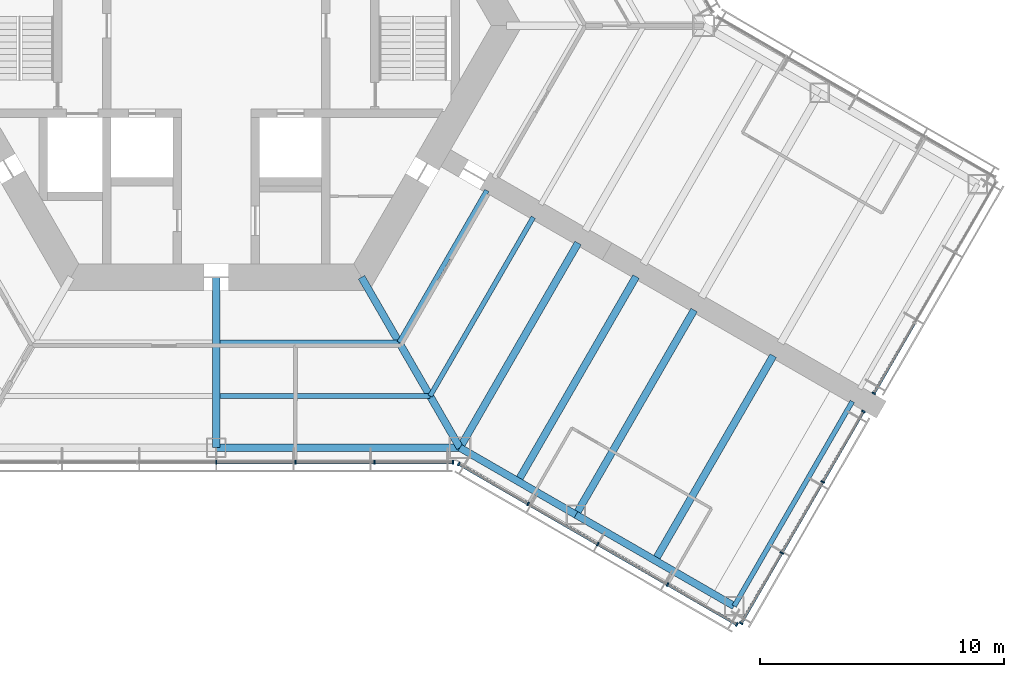
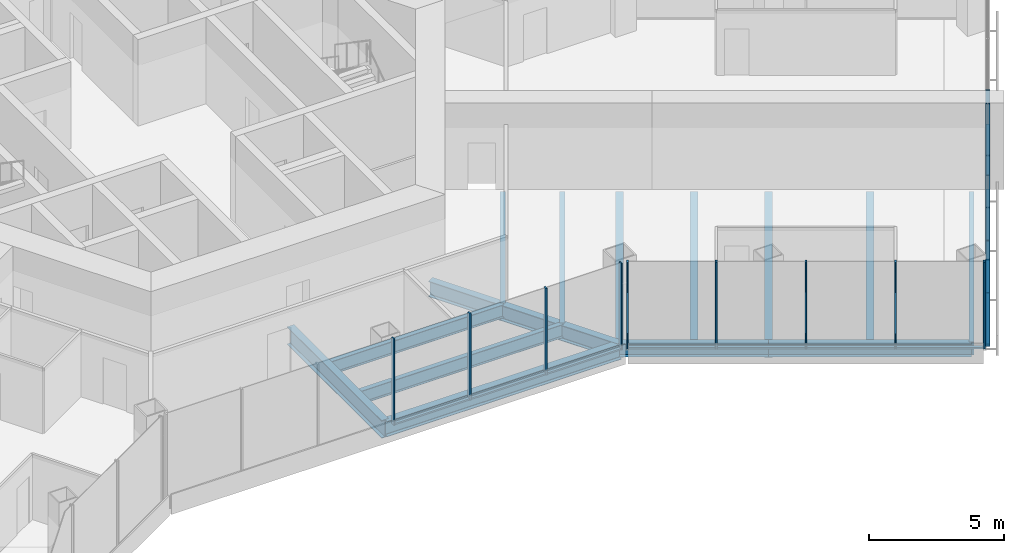
# One storey, part 5 of 18: 25 members, 14 beams, 4 elements without a shape of their own.
"""IFC4 building model written with IfcOpenShell, lengths in metres."""

from ifc_helpers import new_model, si_unit, direction, frame, origin, origin_2d, place, context, subcontext, project, spatial, rectangle, i_section, extrude, material, material_profile, profile_set, type_object, element, aggregate, save


model = new_model("IFC4")

# Units and contexts
model_context = context("Model", 3, precision=1e-05, world=origin(), true_north=direction((0.0, 1.0)))
body_context = subcontext(model_context, "Body", "Model", "MODEL_VIEW")
ifc_project = project(units=[si_unit("LENGTHUNIT", "METRE"), si_unit("AREAUNIT", "SQUARE_METRE"), si_unit("VOLUMEUNIT", "CUBIC_METRE"), si_unit("PLANEANGLEUNIT", "RADIAN"), si_unit("MASSUNIT", "GRAM", prefix="KILO")], contexts=[model_context])

# Site, building, storey
site_placement = place(None, origin())
site = spatial("IfcSite", under=ifc_project, at=site_placement, CompositionType="ELEMENT")
building_placement = place(site_placement, origin())
building = spatial("IfcBuilding", under=site, at=building_placement, Name="Kasaneha Research Tower", CompositionType="ELEMENT")
storey_placement = place(building_placement, frame((0.0, 0.0, 69.0)))
storey = spatial("IfcBuildingStorey", under=building, at=storey_placement, Name="L17", CompositionType="ELEMENT", Elevation=69.0)

# Beams
ifc_material_1 = material(Name="Steel SN490B", Category="steel")
ifc_material_profile_1 = material_profile(ifc_material_1, i_section(OverallWidth=0.199951171875, OverallDepth=0.60009765625, WebThickness=0.010986328125, FlangeThickness=0.01708984375, FilletRadius=0.012939453125, at=origin_2d()), Name="H-600x200x11x17")
ifc_profile_set_1 = profile_set([ifc_material_profile_1], Name="Steel SN490B")
beam_type_1 = type_object("IfcBeamType", Name="B1-3 secondary beam H-600x200x11x17", PredefinedType="JOIST", material=ifc_profile_set_1)
beam_1_placement = place(storey_placement, frame((7.505615234375, -13.0, -0.449951171875), z_axis=(-1.0, 0.0, 0.0), x_axis=(0.0, -1.0, 0.0)))
element("IfcBeam", 1, at=beam_1_placement, inside=storey, type_object=beam_type_1, Name="Secondary beam RS270R1 L17", PredefinedType="JOIST", context=body_context, shape_type="SweptSolid", body=[
    extrude(i_section(OverallWidth=0.199951171875, OverallDepth=0.60009765625, WebThickness=0.010986328125, FlangeThickness=0.01708984375, FilletRadius=0.012939453125, at=origin_2d()), origin(), (0.0, 0.0, 1.0), 7.355712890625),
])
beam_2_placement = place(storey_placement, frame((8.775634765625, -15.199951171875, -0.449951171875), z_axis=(-1.0, 0.0, 0.0), x_axis=(0.0, -1.0, 0.0)))
element("IfcBeam", 2, at=beam_2_placement, inside=storey, type_object=beam_type_1, Name="Secondary beam RS270R2 L17", PredefinedType="JOIST", context=body_context, shape_type="SweptSolid", body=[
    extrude(i_section(OverallWidth=0.199951171875, OverallDepth=0.60009765625, WebThickness=0.010986328125, FlangeThickness=0.01708984375, FilletRadius=0.012939453125, at=origin_2d()), origin(), (0.0, 0.0, 1.0), 8.625732421875),
])
beam_3_placement = place(storey_placement, frame((7.505615234375, -13.0, -0.449951171875), z_axis=(0.499998147991, 0.86602647304, 0.0), x_axis=(-0.86602647304, 0.499998147991, 0.0)))
element("IfcBeam", 3, at=beam_3_placement, inside=storey, type_object=beam_type_1, Name="Secondary beam RS330L1 L17", PredefinedType="JOIST", context=body_context, shape_type="SweptSolid", body=[
    extrude(i_section(OverallWidth=0.199951171875, OverallDepth=0.60009765625, WebThickness=0.010986328125, FlangeThickness=0.01708984375, FilletRadius=0.012939453125, at=origin_2d()), origin(), (0.0, 0.0, 1.0), 7.20556640625),
])
beam_4_placement = place(storey_placement, frame((8.775634765625, -15.199951171875, -0.449951171875), z_axis=(0.500020829043, 0.866013377797, 0.0), x_axis=(-0.866013377797, 0.500020829043, 0.0)))
element("IfcBeam", 4, at=beam_4_placement, inside=storey, type_object=beam_type_1, Name="Secondary beam RS330L2 L17", PredefinedType="JOIST", context=body_context, shape_type="SweptSolid", body=[
    extrude(i_section(OverallWidth=0.199951171875, OverallDepth=0.60009765625, WebThickness=0.010986328125, FlangeThickness=0.01708984375, FilletRadius=0.012939453125, at=origin_2d()), origin(), (0.0, 0.0, 1.0), 8.475830078125),
])
ifc_material_2 = material(Name="Steel SN490B", Category="steel")
ifc_material_profile_2 = material_profile(ifc_material_2, i_section(OverallWidth=0.300048828125, OverallDepth=0.58203125, WebThickness=0.011962890625, FlangeThickness=0.01708984375, FilletRadius=0.012939453125, at=origin_2d()), Name="H-582x300x12x17")
ifc_profile_set_2 = profile_set([ifc_material_profile_2], Name="Steel SN490B")
beam_type_2 = type_object("IfcBeamType", Name="B2-3 secondary beam H-582x300x12x17", PredefinedType="JOIST", material=ifc_profile_set_2)
for number, where, z_axis, x_axis, name in (
    (5, (12.381591796875, -18.695556640625, -0.44091796875), (0.500010041276, 0.866019606374, 0.0), (-0.866019606374, 0.500010041276, 0.0), "Secondary beam WBCP1 L17"),
    (6, (18.0107421875, -21.945556640625, -0.44091796875), (0.500010041276, 0.866019606374, 0.0), (-0.866019606374, 0.500010041276, 0.0), "Secondary beam WBCP2 L17"),
):
    element("IfcBeam", number, at=place(storey_placement, frame(where, z_axis=z_axis, x_axis=x_axis)), inside=storey, type_object=beam_type_2, Name=name, PredefinedType="JOIST", context=body_context, shape_type="SweptSolid", body=[
        extrude(i_section(OverallWidth=0.300048828125, OverallDepth=0.58203125, WebThickness=0.011962890625, FlangeThickness=0.01708984375, FilletRadius=0.012939453125, at=origin_2d()), origin(), (0.0, 0.0, 1.0), 9.699951171875),
    ])

# Curtain wall, members
ifc_material_3 = material(Name="Glass and aluminium", Category="aluminium")
curtain_wall_type = type_object("IfcCurtainWallType", Name="Low-rise office curtain wall", PredefinedType="USERDEFINED", material=ifc_material_3)
curtain_wall_1_placement = place(storey_placement, origin())
curtain_wall_1 = element("IfcCurtainWall", 7, at=curtain_wall_1_placement, inside=storey, type_object=curtain_wall_type, Name="CW-O1 L17 run 02a", ObjectType="UNITISED CURTAIN WALL", PredefinedType="USERDEFINED")
ifc_material_4 = material(Name="Aluminium 6063-T6", Category="aluminium")
ifc_material_profile_3 = material_profile(ifc_material_4, rectangle(XDim=0.06005859375, YDim=0.159912109375, at=origin_2d()), Name="CW-O1 mullion 60x160")
ifc_profile_set_3 = profile_set([ifc_material_profile_3], Name="Aluminium 6063-T6")
member_type_1 = type_object("IfcMemberType", Name="CW-O1 mullion", PredefinedType="MULLION", material=ifc_profile_set_3)
member_1_placement = place(storey_placement, frame((0.0, -17.92041015625, 0.0), z_axis=(0.0, 0.0, 1.0), x_axis=(1.0, 0.0, 0.0)))
member_1 = element("IfcMember", 8, at=member_1_placement, type_object=member_type_1, Name="CW-O1 mullion 4", PredefinedType="MULLION", context=body_context, shape_type="SweptSolid", body=[
    extrude(rectangle(XDim=0.06005859375, YDim=0.159912109375, at=origin_2d()), origin(), (0.0, 0.0, 1.0), 3.89990234375),
])
member_2_placement = place(storey_placement, frame((3.246337890625, -17.92041015625, 0.0), z_axis=(0.0, 0.0, 1.0), x_axis=(1.0, 0.0, 0.0)))
member_2 = element("IfcMember", 9, at=member_2_placement, type_object=member_type_1, Name="CW-O1 mullion 5", PredefinedType="MULLION", context=body_context, shape_type="SweptSolid", body=[
    extrude(rectangle(XDim=0.06005859375, YDim=0.159912109375, at=origin_2d()), origin(), (0.0, 0.0, 1.0), 3.89990234375),
])
member_3_placement = place(storey_placement, frame((6.492919921875, -17.92041015625, 0.0), z_axis=(0.0, 0.0, 1.0), x_axis=(1.0, 0.0, 0.0)))
member_3 = element("IfcMember", 10, at=member_3_placement, type_object=member_type_1, Name="CW-O1 mullion 6", PredefinedType="MULLION", context=body_context, shape_type="SweptSolid", body=[
    extrude(rectangle(XDim=0.06005859375, YDim=0.159912109375, at=origin_2d()), origin(), (0.0, 0.0, 1.0), 3.89990234375),
])
member_4_placement = place(storey_placement, frame((9.709228515625, -17.92041015625, 0.0), z_axis=(0.0, 0.0, 1.0), x_axis=(1.0, 0.0, 0.0)))
member_4 = element("IfcMember", 11, at=member_4_placement, type_object=member_type_1, Name="CW-O1 mullion 7", PredefinedType="MULLION", context=body_context, shape_type="SweptSolid", body=[
    extrude(rectangle(XDim=0.06005859375, YDim=0.159912109375, at=origin_2d()), origin(), (0.0, 0.0, 1.0), 3.89990234375),
])

curtain_wall_2_placement = place(storey_placement, origin())
curtain_wall_2 = element("IfcCurtainWall", 12, at=curtain_wall_2_placement, inside=storey, type_object=curtain_wall_type, Name="CW-O1 L17 run 03a", ObjectType="UNITISED CURTAIN WALL", PredefinedType="USERDEFINED")
member_5_placement = place(storey_placement, frame((9.951904296875, -17.985595703125, 0.0), z_axis=(0.0, 0.0, 1.0), x_axis=(0.866025411464, -0.499999986699, 0.0)))
member_5 = element("IfcMember", 13, at=member_5_placement, type_object=member_type_1, Name="CW-O1 mullion 1", PredefinedType="MULLION", context=body_context, shape_type="SweptSolid", body=[
    extrude(rectangle(XDim=0.06005859375, YDim=0.159912109375, at=origin_2d()), origin(), (0.0, 0.0, 1.0), 3.89990234375),
])
member_6_placement = place(storey_placement, frame((12.792236328125, -19.62548828125, 0.0), z_axis=(0.0, 0.0, 1.0), x_axis=(0.866025411464, -0.499999986699, 0.0)))
member_6 = element("IfcMember", 14, at=member_6_placement, type_object=member_type_1, Name="CW-O1 mullion 2", PredefinedType="MULLION", context=body_context, shape_type="SweptSolid", body=[
    extrude(rectangle(XDim=0.06005859375, YDim=0.159912109375, at=origin_2d()), origin(), (0.0, 0.0, 1.0), 3.89990234375),
])
member_7_placement = place(storey_placement, frame((15.65869140625, -21.2802734375, 0.0), z_axis=(0.0, 0.0, 1.0), x_axis=(0.866025411464, -0.499999986699, 0.0)))
member_7 = element("IfcMember", 15, at=member_7_placement, type_object=member_type_1, Name="CW-O1 mullion 3", PredefinedType="MULLION", context=body_context, shape_type="SweptSolid", body=[
    extrude(rectangle(XDim=0.06005859375, YDim=0.159912109375, at=origin_2d()), origin(), (0.0, 0.0, 1.0), 3.89990234375),
])
member_8_placement = place(storey_placement, frame((18.52490234375, -22.935302734375, 0.0), z_axis=(0.0, 0.0, 1.0), x_axis=(0.866025411464, -0.499999986699, 0.0)))
member_8 = element("IfcMember", 16, at=member_8_placement, type_object=member_type_1, Name="CW-O1 mullion 4", PredefinedType="MULLION", context=body_context, shape_type="SweptSolid", body=[
    extrude(rectangle(XDim=0.06005859375, YDim=0.159912109375, at=origin_2d()), origin(), (0.0, 0.0, 1.0), 3.89990234375),
])
member_9_placement = place(storey_placement, frame((21.365478515625, -24.5751953125, 0.0), z_axis=(0.0, 0.0, 1.0), x_axis=(0.866025411464, -0.499999986699, 0.0)))
member_9 = element("IfcMember", 17, at=member_9_placement, type_object=member_type_1, Name="CW-O1 mullion 5", PredefinedType="MULLION", context=body_context, shape_type="SweptSolid", body=[
    extrude(rectangle(XDim=0.06005859375, YDim=0.159912109375, at=origin_2d()), origin(), (0.0, 0.0, 1.0), 3.89990234375),
])

curtain_wall_3_placement = place(storey_placement, origin())
curtain_wall_3 = element("IfcCurtainWall", 18, at=curtain_wall_3_placement, inside=storey, type_object=curtain_wall_type, Name="CW-O1 L17 run 04a", ObjectType="UNITISED CURTAIN WALL", PredefinedType="USERDEFINED")
member_10_placement = place(storey_placement, frame((21.54296875, -24.527587890625, 0.0), z_axis=(0.0, 0.0, 1.0), x_axis=(0.500000011442, 0.866025397178, 0.0)))
member_10 = element("IfcMember", 19, at=member_10_placement, type_object=member_type_1, Name="CW-O1 mullion 1", PredefinedType="MULLION", context=body_context, shape_type="SweptSolid", body=[
    extrude(rectangle(XDim=0.06005859375, YDim=0.159912109375, at=origin_2d()), origin(), (0.0, 0.0, 1.0), 3.89990234375),
])
member_11_placement = place(storey_placement, frame((23.211181640625, -21.637939453125, 0.0), z_axis=(0.0, 0.0, 1.0), x_axis=(0.500000011442, 0.866025397178, 0.0)))
member_11 = element("IfcMember", 20, at=member_11_placement, type_object=member_type_1, Name="CW-O1 mullion 2", PredefinedType="MULLION", context=body_context, shape_type="SweptSolid", body=[
    extrude(rectangle(XDim=0.06005859375, YDim=0.159912109375, at=origin_2d()), origin(), (0.0, 0.0, 1.0), 3.89990234375),
])
member_12_placement = place(storey_placement, frame((24.89453125, -18.72216796875, 0.0), z_axis=(0.0, 0.0, 1.0), x_axis=(0.500000011442, 0.866025397178, 0.0)))
member_12 = element("IfcMember", 21, at=member_12_placement, type_object=member_type_1, Name="CW-O1 mullion 3", PredefinedType="MULLION", context=body_context, shape_type="SweptSolid", body=[
    extrude(rectangle(XDim=0.06005859375, YDim=0.159912109375, at=origin_2d()), origin(), (0.0, 0.0, 1.0), 3.89990234375),
])
member_13_placement = place(storey_placement, frame((26.56298828125, -15.832763671875, 0.0), z_axis=(0.0, 0.0, 1.0), x_axis=(0.500000011442, 0.866025397178, 0.0)))
member_13 = element("IfcMember", 22, at=member_13_placement, type_object=member_type_1, Name="CW-O1 mullion 4", PredefinedType="MULLION", context=body_context, shape_type="SweptSolid", body=[
    extrude(rectangle(XDim=0.06005859375, YDim=0.159912109375, at=origin_2d()), origin(), (0.0, 0.0, 1.0), 3.89990234375),
])

# Curtain wall, member
curtain_wall_4_placement = place(storey_placement, origin())
curtain_wall_4 = element("IfcCurtainWall", 23, at=curtain_wall_4_placement, inside=storey, type_object=curtain_wall_type, Name="CW-O1 L17 run 05a", ObjectType="UNITISED CURTAIN WALL", PredefinedType="USERDEFINED")
member_14_placement = place(storey_placement, frame((26.992919921875, -15.087890625, 0.0), z_axis=(0.0, 0.0, 1.0), x_axis=(0.500000011442, 0.866025397178, 0.0)))
member_14 = element("IfcMember", 24, at=member_14_placement, type_object=member_type_1, Name="CW-O1 mullion 1", PredefinedType="MULLION", context=body_context, shape_type="SweptSolid", body=[
    extrude(rectangle(XDim=0.06005859375, YDim=0.159912109375, at=origin_2d()), origin(), (0.0, 0.0, 1.0), 3.89990234375),
])

# Member
ifc_material_5 = material(Name="Aluminium 6063-T6", Category="aluminium")
ifc_material_profile_4 = material_profile(ifc_material_5, rectangle(XDim=0.1201171875, YDim=0.06005859375, at=origin_2d()), Name="CW-O1 transom 120x60")
ifc_profile_set_4 = profile_set([ifc_material_profile_4], Name="Aluminium 6063-T6")
member_type_2 = type_object("IfcMemberType", Name="CW-O1 transom", PredefinedType="USERDEFINED", material=ifc_profile_set_4)
member_15_placement = place(storey_placement, frame((0.030029296875, -17.92041015625, 0.030029296875), z_axis=(1.0, 0.0, 0.0), x_axis=(0.0, 1.0, 0.0)))
member_15 = element("IfcMember", 25, at=member_15_placement, type_object=member_type_2, Name="CW-O1 transom 4", ObjectType="TRANSOM", PredefinedType="USERDEFINED", context=body_context, shape_type="SweptSolid", body=[
    extrude(rectangle(XDim=0.1201171875, YDim=0.06005859375, at=origin_2d()), origin(), (0.0, 0.0, 1.0), 3.186279296875),
])

member_16_placement = place(storey_placement, frame((3.2763671875, -17.92041015625, 0.030029296875), z_axis=(1.0, 0.0, 0.0), x_axis=(0.0, 1.0, 0.0)))
member_16 = element("IfcMember", 26, at=member_16_placement, type_object=member_type_2, Name="CW-O1 transom 5", ObjectType="TRANSOM", PredefinedType="USERDEFINED", context=body_context, shape_type="SweptSolid", body=[
    extrude(rectangle(XDim=0.1201171875, YDim=0.06005859375, at=origin_2d()), origin(), (0.0, 0.0, 1.0), 3.1865234375),
])

member_17_placement = place(storey_placement, frame((6.522705078125, -17.92041015625, 0.030029296875), z_axis=(1.0, 0.0, 0.0), x_axis=(0.0, 1.0, 0.0)))
member_17 = element("IfcMember", 27, at=member_17_placement, type_object=member_type_2, Name="CW-O1 transom 6", ObjectType="TRANSOM", PredefinedType="USERDEFINED", context=body_context, shape_type="SweptSolid", body=[
    extrude(rectangle(XDim=0.1201171875, YDim=0.06005859375, at=origin_2d()), origin(), (0.0, 0.0, 1.0), 3.156494140625),
])

aggregate(curtain_wall_1, [member_1, member_2, member_3, member_4, member_15, member_16, member_17])

member_18_placement = place(storey_placement, frame((9.977783203125, -18.00048828125, 0.030029296875), z_axis=(0.866022692473, -0.500004696101, 0.0), x_axis=(0.500004696101, 0.866022692473, 0.0)))
member_18 = element("IfcMember", 28, at=member_18_placement, type_object=member_type_2, Name="CW-O1 transom 1", ObjectType="TRANSOM", PredefinedType="USERDEFINED", context=body_context, shape_type="SweptSolid", body=[
    extrude(rectangle(XDim=0.1201171875, YDim=0.06005859375, at=origin_2d()), origin(), (0.0, 0.0, 1.0), 3.2197265625),
])

member_19_placement = place(storey_placement, frame((12.818115234375, -19.640380859375, 0.030029296875), z_axis=(0.866015446554, -0.500017246033, 0.0), x_axis=(0.500017246033, 0.866015446554, 0.0)))
member_19 = element("IfcMember", 29, at=member_19_placement, type_object=member_type_2, Name="CW-O1 transom 2", ObjectType="TRANSOM", PredefinedType="USERDEFINED", context=body_context, shape_type="SweptSolid", body=[
    extrude(rectangle(XDim=0.1201171875, YDim=0.06005859375, at=origin_2d()), origin(), (0.0, 0.0, 1.0), 3.25),
])

member_20_placement = place(storey_placement, frame((15.6845703125, -21.29541015625, 0.030029296875), z_axis=(0.86604797581, -0.499960902066, 0.0), x_axis=(0.499960902066, 0.86604797581, 0.0)))
member_20 = element("IfcMember", 30, at=member_20_placement, type_object=member_type_2, Name="CW-O1 transom 3", ObjectType="TRANSOM", PredefinedType="USERDEFINED", context=body_context, shape_type="SweptSolid", body=[
    extrude(rectangle(XDim=0.1201171875, YDim=0.06005859375, at=origin_2d()), origin(), (0.0, 0.0, 1.0), 3.249755859375),
])

member_21_placement = place(storey_placement, frame((18.551025390625, -22.9501953125, 0.030029296875), z_axis=(0.866022692473, -0.500004696101, 0.0), x_axis=(0.500004696101, 0.866022692473, 0.0)))
member_21 = element("IfcMember", 31, at=member_21_placement, type_object=member_type_2, Name="CW-O1 transom 4", ObjectType="TRANSOM", PredefinedType="USERDEFINED", context=body_context, shape_type="SweptSolid", body=[
    extrude(rectangle(XDim=0.1201171875, YDim=0.06005859375, at=origin_2d()), origin(), (0.0, 0.0, 1.0), 3.2197265625),
])

aggregate(curtain_wall_2, [member_5, member_6, member_7, member_8, member_9, member_18, member_19, member_20, member_21])

member_22_placement = place(storey_placement, frame((21.557861328125, -24.50146484375, 0.030029296875), z_axis=(0.500025583411, 0.866010632691, 0.0), x_axis=(-0.866010632691, 0.500025583411, 0.0)))
member_22 = element("IfcMember", 32, at=member_22_placement, type_object=member_type_2, Name="CW-O1 transom 1", ObjectType="TRANSOM", PredefinedType="USERDEFINED", context=body_context, shape_type="SweptSolid", body=[
    extrude(rectangle(XDim=0.1201171875, YDim=0.06005859375, at=origin_2d()), origin(), (0.0, 0.0, 1.0), 3.276611328125),
])

member_23_placement = place(storey_placement, frame((23.226318359375, -21.61181640625, 0.030029296875), z_axis=(0.500014325468, 0.866017132814, 0.0), x_axis=(-0.866017132814, 0.500014325468, 0.0)))
member_23 = element("IfcMember", 33, at=member_23_placement, type_object=member_type_2, Name="CW-O1 transom 2", ObjectType="TRANSOM", PredefinedType="USERDEFINED", context=body_context, shape_type="SweptSolid", body=[
    extrude(rectangle(XDim=0.1201171875, YDim=0.06005859375, at=origin_2d()), origin(), (0.0, 0.0, 1.0), 3.306640625),
])

member_24_placement = place(storey_placement, frame((24.90966796875, -18.6962890625, 0.030029296875), z_axis=(0.499969700927, 0.866042896256, 0.0), x_axis=(-0.866042896256, 0.499969700927, 0.0)))
member_24 = element("IfcMember", 34, at=member_24_placement, type_object=member_type_2, Name="CW-O1 transom 3", ObjectType="TRANSOM", PredefinedType="USERDEFINED", context=body_context, shape_type="SweptSolid", body=[
    extrude(rectangle(XDim=0.1201171875, YDim=0.06005859375, at=origin_2d()), origin(), (0.0, 0.0, 1.0), 3.276611328125),
])

aggregate(curtain_wall_3, [member_10, member_11, member_12, member_13, member_22, member_23, member_24])

member_25_placement = place(storey_placement, frame((27.008056640625, -15.061767578125, 0.030029296875), z_axis=(0.499969700927, 0.866042896256, 0.0), x_axis=(-0.866042896256, 0.499969700927, 0.0)))
member_25 = element("IfcMember", 35, at=member_25_placement, type_object=member_type_2, Name="CW-O1 transom 1", ObjectType="TRANSOM", PredefinedType="USERDEFINED", context=body_context, shape_type="SweptSolid", body=[
    extrude(rectangle(XDim=0.1201171875, YDim=0.06005859375, at=origin_2d()), origin(), (0.0, 0.0, 1.0), 3.276611328125),
])

aggregate(curtain_wall_4, [member_14, member_25])

# Beams
ifc_material_6 = material(Name="Steel SN490B", Category="steel")
ifc_material_profile_5 = material_profile(ifc_material_6, i_section(OverallWidth=0.300048828125, OverallDepth=0.699951171875, WebThickness=0.012939453125, FlangeThickness=0.02392578125, FilletRadius=0.01806640625, at=origin_2d()), Name="H-700x300x13x24")
ifc_profile_set_5 = profile_set([ifc_material_profile_5], Name="Steel SN490B")
beam_type_3 = type_object("IfcBeamType", Name="G1-3 radial girder H-700x300x13x24", PredefinedType="BEAM", material=ifc_profile_set_5)
beam_5_placement = place(storey_placement, frame((5.961181640625, -10.324951171875, -0.5), z_axis=(0.49999105496, -0.866030568144, 0.0), x_axis=(0.866030568144, 0.49999105496, 0.0)))
element("IfcBeam", 36, at=beam_5_placement, inside=storey, type_object=beam_type_3, Name="Radial girder RV300 L17", PredefinedType="BEAM", context=body_context, shape_type="SweptSolid", body=[
    extrude(i_section(OverallWidth=0.300048828125, OverallDepth=0.699951171875, WebThickness=0.012939453125, FlangeThickness=0.02392578125, FilletRadius=0.01806640625, at=origin_2d()), origin(), (0.0, 0.0, 1.0), 8.077880859375),
])
ifc_material_7 = material(Name="Steel SN490B", Category="steel")
ifc_material_profile_6 = material_profile(ifc_material_7, i_section(OverallWidth=0.300048828125, OverallDepth=0.800048828125, WebThickness=0.013916015625, FlangeThickness=0.02587890625, FilletRadius=0.01806640625, at=origin_2d()), Name="H-800x300x14x26")
ifc_profile_set_6 = profile_set([ifc_material_profile_6], Name="Steel SN490B")
beam_type_4 = type_object("IfcBeamType", Name="G2-3 radial girder H-800x300x14x26", PredefinedType="BEAM", material=ifc_profile_set_6)
beam_6_placement = place(storey_placement, frame((0.0, -10.324951171875, -0.550048828125), z_axis=(0.0, -1.0, 0.0), x_axis=(1.0, 0.0, 0.0)))
element("IfcBeam", 37, at=beam_6_placement, inside=storey, type_object=beam_type_4, Name="Radial girder RM270 L17", PredefinedType="BEAM", context=body_context, shape_type="SweptSolid", body=[
    extrude(i_section(OverallWidth=0.300048828125, OverallDepth=0.800048828125, WebThickness=0.013916015625, FlangeThickness=0.02587890625, FilletRadius=0.01806640625, at=origin_2d()), origin(), (0.0, 0.0, 1.0), 6.99560546875),
])
ifc_material_8 = material(Name="Steel SN490B", Category="steel")
ifc_material_profile_7 = material_profile(ifc_material_8, i_section(OverallWidth=0.300048828125, OverallDepth=0.69189453125, WebThickness=0.012939453125, FlangeThickness=0.02001953125, FilletRadius=0.01806640625, at=origin_2d()), Name="H-692x300x13x20")
ifc_profile_set_7 = profile_set([ifc_material_profile_7], Name="Steel SN490B")
beam_type_5 = type_object("IfcBeamType", Name="G3-3 plate edge girder H-692x300x13x20", PredefinedType="BEAM", material=ifc_profile_set_7)
beam_7_placement = place(storey_placement, frame((10.0, -17.320556640625, -0.49609375), z_axis=(0.500010041276, 0.866019606374, 0.0), x_axis=(-0.866019606374, 0.500010041276, 0.0)))
element("IfcBeam", 38, at=beam_7_placement, inside=storey, type_object=beam_type_5, Name="Plate edge girder PECP L17", PredefinedType="BEAM", context=body_context, shape_type="SweptSolid", body=[
    extrude(i_section(OverallWidth=0.300048828125, OverallDepth=0.69189453125, WebThickness=0.012939453125, FlangeThickness=0.02001953125, FilletRadius=0.01806640625, at=origin_2d()), origin(), (0.0, 0.0, 1.0), 9.699951171875),
])
ifc_material_9 = material(Name="Steel SN490B", Category="steel")
ifc_material_profile_8 = material_profile(ifc_material_9, i_section(OverallWidth=0.300048828125, OverallDepth=0.699951171875, WebThickness=0.012939453125, FlangeThickness=0.02392578125, FilletRadius=0.01806640625, at=origin_2d()), Name="H-700x300x13x24")
ifc_profile_set_8 = profile_set([ifc_material_profile_8], Name="Steel SN490B")
beam_type_6 = type_object("IfcBeamType", Name="G4-3 wing girder H-700x300x13x24", PredefinedType="BEAM", material=ifc_profile_set_8)
beam_8_placement = place(storey_placement, frame((14.76318359375, -20.070556640625, -0.5), z_axis=(0.499991164321, 0.866030505006, 0.0), x_axis=(-0.866030505006, 0.499991164321, 0.0)))
element("IfcBeam", 39, at=beam_8_placement, inside=storey, type_object=beam_type_6, Name="Wing girder WGCP L17", PredefinedType="BEAM", context=body_context, shape_type="SweptSolid", body=[
    extrude(i_section(OverallWidth=0.300048828125, OverallDepth=0.699951171875, WebThickness=0.012939453125, FlangeThickness=0.02392578125, FilletRadius=0.01806640625, at=origin_2d()), origin(), (0.0, 0.0, 1.0), 9.699951171875),
])
ifc_material_10 = material(Name="Steel SN490B", Category="steel")
ifc_material_profile_9 = material_profile(ifc_material_10, i_section(OverallWidth=0.300048828125, OverallDepth=0.69189453125, WebThickness=0.012939453125, FlangeThickness=0.02001953125, FilletRadius=0.01806640625, at=origin_2d()), Name="H-692x300x13x20")
ifc_profile_set_9 = profile_set([ifc_material_profile_9], Name="Steel SN490B")
beam_type_7 = type_object("IfcBeamType", Name="SB1-3 spandrel beam H-692x300x13x20", PredefinedType="SPANDREL", material=ifc_profile_set_9)
beam_9_placement = place(storey_placement, frame((10.0, -17.320556640625, -0.49609375), z_axis=(-1.0, 0.0, 0.0), x_axis=(0.0, -1.0, 0.0)))
element("IfcBeam", 40, at=beam_9_placement, inside=storey, type_object=beam_type_7, Name="Spandrel beam SR270R L17", PredefinedType="SPANDREL", context=body_context, shape_type="SweptSolid", body=[
    extrude(i_section(OverallWidth=0.300048828125, OverallDepth=0.69189453125, WebThickness=0.012939453125, FlangeThickness=0.02001953125, FilletRadius=0.01806640625, at=origin_2d()), origin(), (0.0, 0.0, 1.0), 10.0),
])
ifc_material_11 = material(Name="Steel SN490B", Category="steel")
ifc_material_profile_10 = material_profile(ifc_material_11, i_section(OverallWidth=0.300048828125, OverallDepth=0.58203125, WebThickness=0.011962890625, FlangeThickness=0.01708984375, FilletRadius=0.012939453125, at=origin_2d()), Name="H-582x300x12x17")
ifc_profile_set_10 = profile_set([ifc_material_profile_10], Name="Steel SN490B")
beam_type_8 = type_object("IfcBeamType", Name="SB2-3 spandrel beam H-582x300x12x17", PredefinedType="SPANDREL", material=ifc_profile_set_10)
beam_10_placement = place(storey_placement, frame((10.0, -17.320556640625, -0.44091796875), z_axis=(0.866027397988, -0.499996545922, 0.0), x_axis=(0.499996545922, 0.866027397988, 0.0)))
element("IfcBeam", 41, at=beam_10_placement, inside=storey, type_object=beam_type_8, Name="Spandrel beam WSCP1 L17", PredefinedType="SPANDREL", context=body_context, shape_type="SweptSolid", body=[
    extrude(i_section(OverallWidth=0.300048828125, OverallDepth=0.58203125, WebThickness=0.011962890625, FlangeThickness=0.01708984375, FilletRadius=0.012939453125, at=origin_2d()), origin(), (0.0, 0.0, 1.0), 5.5),
])
beam_11_placement = place(storey_placement, frame((14.76318359375, -20.070556640625, -0.44091796875), z_axis=(0.866022959057, -0.500004234368, 0.0), x_axis=(0.500004234368, 0.866022959057, 0.0)))
element("IfcBeam", 42, at=beam_11_placement, inside=storey, type_object=beam_type_8, Name="Spandrel beam WSCP2 L17", PredefinedType="SPANDREL", context=body_context, shape_type="SweptSolid", body=[
    extrude(i_section(OverallWidth=0.300048828125, OverallDepth=0.58203125, WebThickness=0.011962890625, FlangeThickness=0.01708984375, FilletRadius=0.012939453125, at=origin_2d()), origin(), (0.0, 0.0, 1.0), 7.5),
])
ifc_material_12 = material(Name="Steel SN490B", Category="steel")
ifc_material_profile_11 = material_profile(ifc_material_12, i_section(OverallWidth=0.199951171875, OverallDepth=0.60009765625, WebThickness=0.010986328125, FlangeThickness=0.01708984375, FilletRadius=0.012939453125, at=origin_2d()), Name="H-600x200x11x17")
ifc_profile_set_11 = profile_set([ifc_material_profile_11], Name="Steel SN490B")
beam_type_9 = type_object("IfcBeamType", Name="SB3-3 spandrel beam H-600x200x11x17", PredefinedType="SPANDREL", material=ifc_profile_set_11)
beam_12_placement = place(storey_placement, frame((21.25830078125, -23.820556640625, -0.449951171875), z_axis=(0.500010041276, 0.866019606374, 0.0), x_axis=(-0.866019606374, 0.500010041276, 0.0)))
element("IfcBeam", 43, at=beam_12_placement, inside=storey, type_object=beam_type_9, Name="Spandrel beam WTCP L17", PredefinedType="SPANDREL", context=body_context, shape_type="SweptSolid", body=[
    extrude(i_section(OverallWidth=0.199951171875, OverallDepth=0.60009765625, WebThickness=0.010986328125, FlangeThickness=0.01708984375, FilletRadius=0.012939453125, at=origin_2d()), origin(), (0.0, 0.0, 1.0), 9.699951171875),
])

save(model, "model.ifc")
